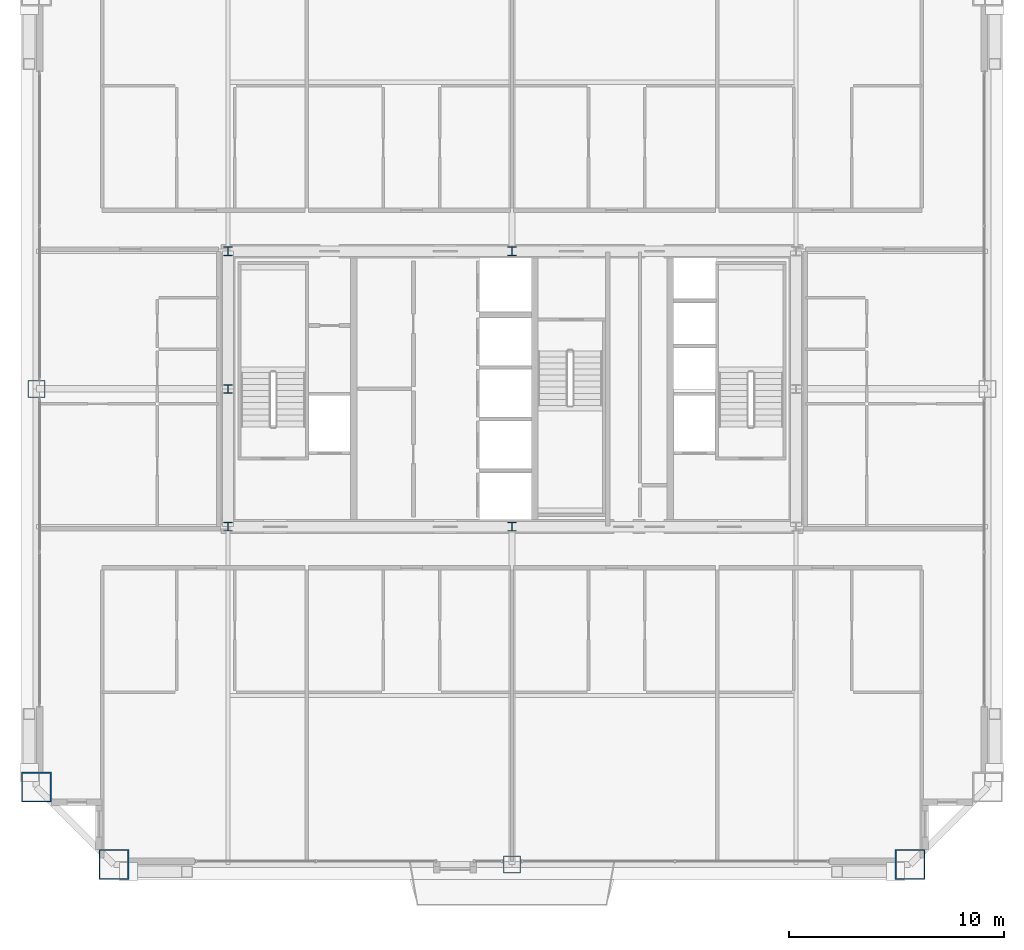
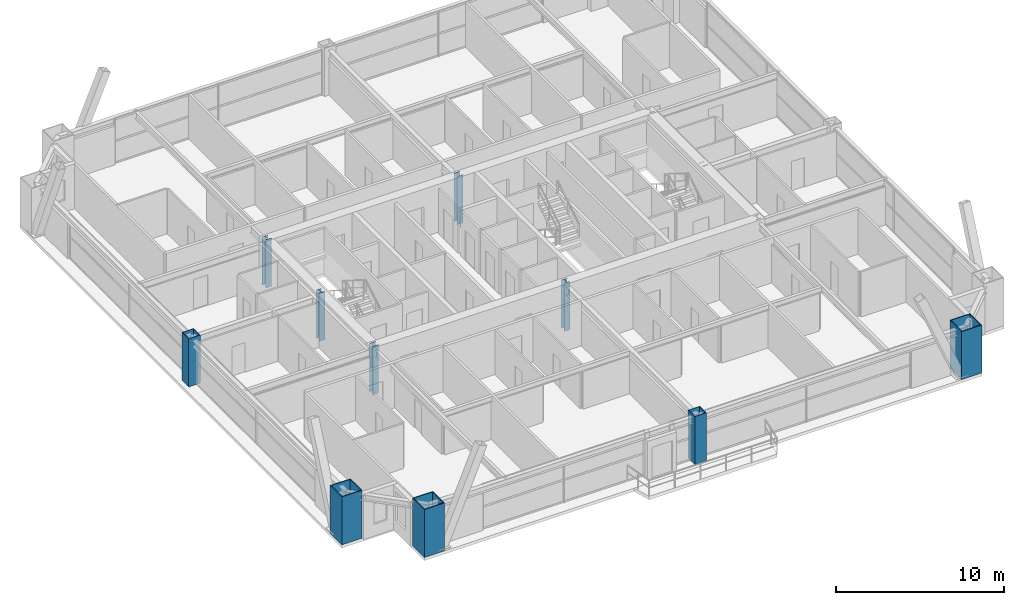
# One storey, part 1 of 42: 10 columns.
"""IFC4 building model written with IfcOpenShell, lengths in metres."""

from ifc_helpers import new_model, si_unit, direction, frame, origin, origin_2d, place, context, subcontext, project, spatial, hollow_rectangle, i_section, extrude, source, transform, mapped, material, material_profile, profile_set, type_object, element, save


model = new_model("IFC4")

# Units and contexts
model_context = context("Model", 3, precision=1e-05, world=origin(), true_north=direction((0.0, 1.0)))
body_context = subcontext(model_context, "Body", "Model", "MODEL_VIEW")
ifc_project = project(units=[si_unit("LENGTHUNIT", "METRE"), si_unit("AREAUNIT", "SQUARE_METRE"), si_unit("VOLUMEUNIT", "CUBIC_METRE"), si_unit("PLANEANGLEUNIT", "RADIAN"), si_unit("MASSUNIT", "GRAM", prefix="KILO"), si_unit("THERMODYNAMICTEMPERATUREUNIT", "KELVIN"), si_unit("POWERUNIT", "WATT")], contexts=[model_context])

# Site, building, storey
site_placement = place(None, origin())
site = spatial("IfcSite", under=ifc_project, at=site_placement, CompositionType="ELEMENT")
building_placement = place(site_placement, origin())
building = spatial("IfcBuilding", under=site, at=building_placement, Name="Yuzanri Waterfront Tower", CompositionType="ELEMENT")
storey_placement = place(building_placement, frame((0.0, 0.0, 184.5)))
storey = spatial("IfcBuildingStorey", under=building, at=storey_placement, Name="L48", CompositionType="ELEMENT", Elevation=184.5)

# Columns
ifc_material_1 = material(Name="Steel Q355B", Category="steel")
ifc_material_profile_1 = material_profile(ifc_material_1, i_section(OverallWidth=0.39990234375, OverallDepth=0.39990234375, WebThickness=0.012939453125, FlangeThickness=0.02099609375, at=origin_2d()), Name="HW 400x400x13x21")
ifc_profile_set_1 = profile_set([ifc_material_profile_1], Name="Steel Q355B")
column_type_1 = type_object("IfcColumnType", Name="Core Post Q355B HW 400x400x13x21", PredefinedType="COLUMN", material=ifc_profile_set_1)
shared_shape_1 = source(origin(), body_context, "Body", "SweptSolid", [
    extrude(i_section(OverallWidth=0.39990234375, OverallDepth=0.39990234375, WebThickness=0.012939453125, FlangeThickness=0.02099609375, at=origin_2d()), origin(), (0.0, 0.0, 1.0), 3.5),
])
for number, where, z_axis, x_axis, name in (
    (1, (23.800048828125, 19.39990234375, 0.0), (0.0, 0.0, 1.0), (1.0, 0.0, 0.0), "L48 Core Boundary Column CP1"),
    (2, (37.0, 19.39990234375, 0.0), (0.0, 0.0, 1.0), (1.0, 0.0, 0.0), "L48 Core Boundary Column CP2"),
    (3, (23.800048828125, 25.800048828125, 0.0), (0.0, 0.0, 1.0), (1.0, 0.0, 0.0), "L48 Core Boundary Column CP4"),
    (4, (23.800048828125, 32.199951171875, 0.0), (0.0, 0.0, 1.0), (1.0, 0.0, 0.0), "L48 Core Boundary Column CP6"),
    (5, (37.0, 32.199951171875, 0.0), (0.0, 0.0, 1.0), (1.0, 0.0, 0.0), "L48 Core Boundary Column CP7"),
):
    element("IfcColumn", number, at=place(storey_placement, frame(where, z_axis=z_axis, x_axis=x_axis)), inside=storey, type_object=column_type_1, Name=name, PredefinedType="COLUMN", context=body_context, shape_type="MappedRepresentation", body=[
        mapped(shared_shape_1, transform((0.0, 0.0, 0.0), scale=1.0)),
    ])
ifc_material_2 = material(Name="Steel Q420GJC", Category="steel")
ifc_material_profile_2 = material_profile(ifc_material_2, hollow_rectangle(XDim=1.39990234375, YDim=1.39990234375, WallThickness=0.06005859375, at=origin_2d()), Name="RHS 1400x1400x60")
ifc_profile_set_2 = profile_set([ifc_material_profile_2], Name="Steel Q420GJC")
column_type_2 = type_object("IfcColumnType", Name="Mega Column Q420GJC RHS 1400x1400x60", PredefinedType="COLUMN", material=ifc_profile_set_2)
shared_shape_2 = source(origin(), body_context, "Body", "SweptSolid", [
    extrude(hollow_rectangle(XDim=1.39990234375, YDim=1.39990234375, WallThickness=0.06005859375, at=origin_2d()), origin(), (0.0, 0.0, 1.0), 3.5),
])
for number, where, z_axis, x_axis, name in (
    (6, (18.5, 3.699951171875, 0.0), (0.0, 0.0, 1.0), (1.0, 0.0, 0.0), "L48 Perimeter Mega Column S1"),
    (7, (55.5, 3.699951171875, 0.0), (0.0, 0.0, 1.0), (1.0, 0.0, 0.0), "L48 Perimeter Mega Column S3"),
    (8, (14.89990234375, 7.300048828125, 0.0), (0.0, 0.0, 1.0), (1.0, 0.0, 0.0), "L48 Perimeter Mega Column W1"),
):
    element("IfcColumn", number, at=place(storey_placement, frame(where, z_axis=z_axis, x_axis=x_axis)), inside=storey, type_object=column_type_2, Name=name, PredefinedType="COLUMN", context=body_context, shape_type="MappedRepresentation", body=[
        mapped(shared_shape_2, transform((0.0, 0.0, 0.0), scale=1.0)),
    ])
ifc_material_3 = material(Name="Steel Q390GJC", Category="steel")
ifc_material_profile_3 = material_profile(ifc_material_3, hollow_rectangle(XDim=0.800048828125, YDim=0.800048828125, WallThickness=0.035888671875, at=origin_2d()), Name="RHS 800x800x36")
ifc_profile_set_3 = profile_set([ifc_material_profile_3], Name="Steel Q390GJC")
column_type_3 = type_object("IfcColumnType", Name="Frame Column Q390GJC RHS 800x800x36", PredefinedType="COLUMN", material=ifc_profile_set_3)
shared_shape_3 = source(origin(), body_context, "Body", "SweptSolid", [
    extrude(hollow_rectangle(XDim=0.800048828125, YDim=0.800048828125, WallThickness=0.035888671875, at=origin_2d()), origin(), (0.0, 0.0, 1.0), 3.5),
])
for number, where, z_axis, x_axis, name in (
    (9, (37.0, 3.699951171875, 0.0), (0.0, 0.0, 1.0), (1.0, 0.0, 0.0), "L48 Perimeter Frame Column S2"),
    (10, (14.89990234375, 25.800048828125, 0.0), (0.0, 0.0, 1.0), (1.0, 0.0, 0.0), "L48 Perimeter Frame Column W2"),
):
    element("IfcColumn", number, at=place(storey_placement, frame(where, z_axis=z_axis, x_axis=x_axis)), inside=storey, type_object=column_type_3, Name=name, PredefinedType="COLUMN", context=body_context, shape_type="MappedRepresentation", body=[
        mapped(shared_shape_3, transform((0.0, 0.0, 0.0), scale=1.0)),
    ])

save(model, "model.ifc")
